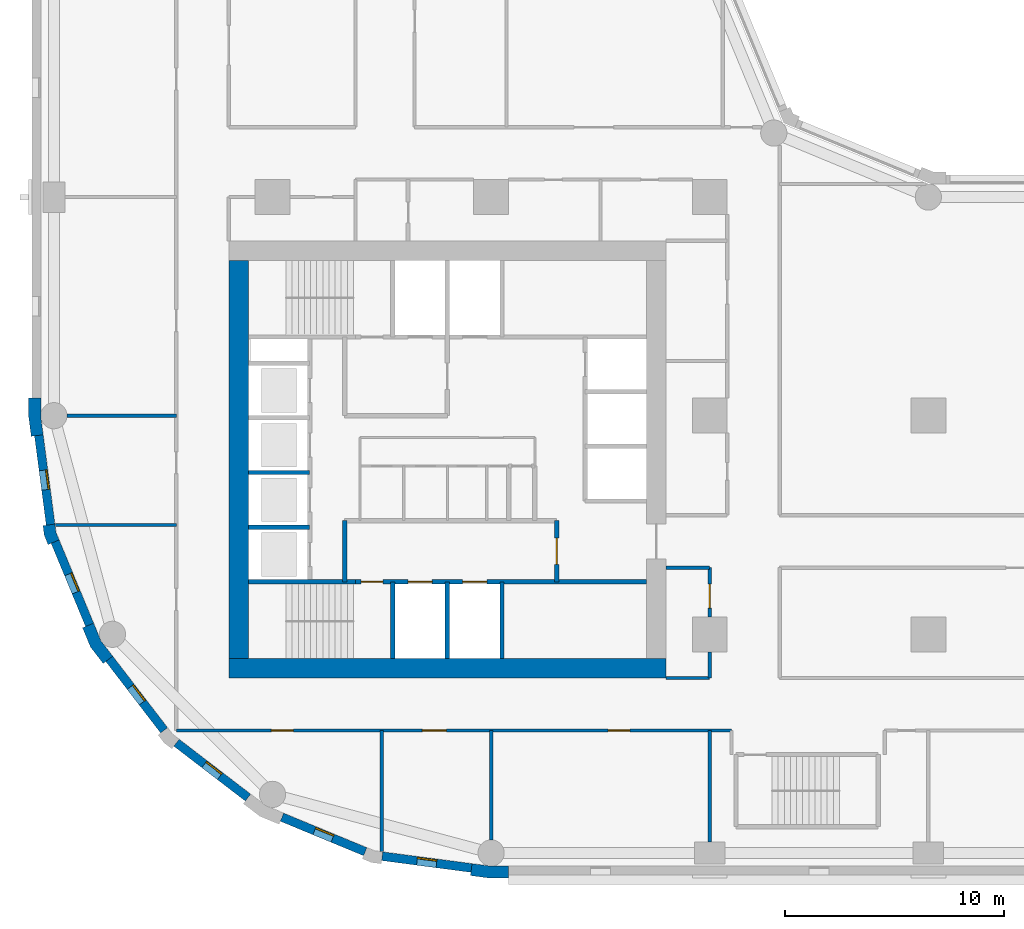
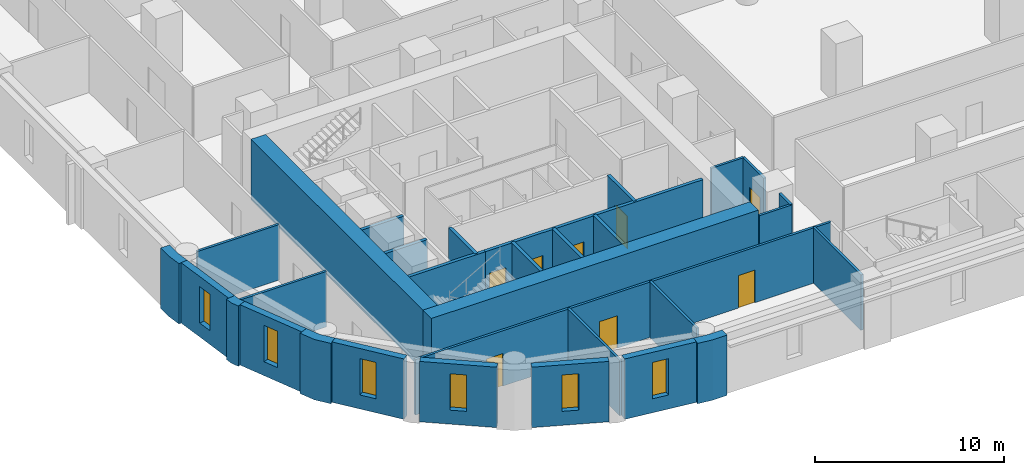
# One storey, part 2 of 10: 31 walls, 8 doors, 6 windows, 14 openings.
"""IFC4 building model written with IfcOpenShell, lengths in metres."""

from ifc_helpers import new_model, si_unit, direction, frame, frame_2d, origin, place, context, subcontext, project, spatial, polyline, rectangle, outline, extrude, material, layer, layer_set, type_object, element, fill, save


model = new_model("IFC4")

# Units and contexts
model_context = context("Model", 3, precision=1e-05, world=origin(), true_north=direction((0.0, 1.0)))
body_context = subcontext(model_context, "Body", "Model", "MODEL_VIEW")
ifc_project = project(units=[si_unit("LENGTHUNIT", "METRE"), si_unit("AREAUNIT", "SQUARE_METRE"), si_unit("VOLUMEUNIT", "CUBIC_METRE"), si_unit("PLANEANGLEUNIT", "RADIAN"), si_unit("MASSUNIT", "GRAM", prefix="KILO")], contexts=[model_context])

# Site, building, storey
site_placement = place(None, origin())
site = spatial("IfcSite", under=ifc_project, at=site_placement, CompositionType="ELEMENT")
building_placement = place(site_placement, origin())
building = spatial("IfcBuilding", under=site, at=building_placement, Name="Qaws Garden Tower", CompositionType="ELEMENT")
storey_placement = place(building_placement, frame((0.0, 0.0, 93.89990234375)))
storey = spatial("IfcBuildingStorey", under=building, at=storey_placement, Name="L23", CompositionType="ELEMENT", Elevation=93.89990234375)

# Wall, opening, window
ifc_material_1 = material(Name="Clay facing brick masonry", Category="masonry")
ifc_layer_1 = layer(ifc_material_1, 0.39990234375)
ifc_layer_set_1 = layer_set([ifc_layer_1], Name="Clay facing brick masonry")
wall_type_1 = type_object("IfcWallType", Name="Brick infill wall 400", PredefinedType="SOLIDWALL", material=ifc_layer_set_1)
wall_1_placement = place(storey_placement, frame((-0.688720703125, 19.102294921875, 0.0), z_axis=(0.0, 0.0, 1.0), x_axis=(0.130514280502, -0.991446429508, 0.0)))
wall_1 = element("IfcWall", 1, at=wall_1_placement, inside=storey, type_object=wall_type_1, Name="E-L23-infill-27", PredefinedType="SOLIDWALL", context=body_context, shape_type="SweptSolid", body=[
    extrude(rectangle(XDim=4.120849609375, YDim=0.39990234375, at=frame_2d((2.060546875, 0.0))), origin(), (0.0, 0.0, 1.0), 3.900146484375),
])
opening_1_placement = place(wall_1_placement, frame((1.610595703125, 0.0, 0.89990234375)))
opening_1 = element("IfcOpeningElement", 2, at=opening_1_placement, cuts=wall_1, Name="Opening W09", PredefinedType="OPENING", context=body_context, shape_type="SweptSolid", body=[
    extrude(rectangle(XDim=0.89990234375, YDim=2.35009765625, at=frame_2d((0.449951171875, 1.175048828125))), frame((0.0, 0.2099609375, 0.0), z_axis=(0.0, -1.0, 0.0), x_axis=(1.0, 0.0, 0.0)), (0.0, 0.0, 1.0), 0.419921875),
])
ifc_material_2 = material(Name="Aluminium framed window, clear glazing", Category="aluminium")
window_type = type_object("IfcWindowType", Name="Slit window 900 x 2350", PartitioningType="SINGLE_PANEL", PredefinedType="WINDOW", material=ifc_material_2)
window_1_placement = place(opening_1_placement, origin())
window_1 = element("IfcWindow", 3, at=window_1_placement, inside=storey, type_object=window_type, Name="E-L23-window-27-0", OverallHeight=2.35009765625, OverallWidth=0.89990234375, PartitioningType="SINGLE_PANEL", PredefinedType="WINDOW", context=body_context, shape_type="SweptSolid", body=[
    extrude(rectangle(XDim=0.89990234375, YDim=2.35009765625, at=frame_2d((0.449951171875, 1.175048828125))), frame((0.0, 0.159912109375, 0.0), z_axis=(0.0, -1.0, 0.0), x_axis=(1.0, 0.0, 0.0)), (0.0, 0.0, 1.0), 0.06005859375),
])
fill(opening_1, window_1)

wall_2_placement = place(storey_placement, frame((0.05712890625, 14.240234375, 0.0), z_axis=(0.0, 0.0, 1.0), x_axis=(0.382721546029, -0.923863744394, 0.0)))
wall_2 = element("IfcWall", 4, at=wall_2_placement, inside=storey, type_object=wall_type_1, Name="E-L23-infill-28", PredefinedType="SOLIDWALL", context=body_context, shape_type="SweptSolid", body=[
    extrude(rectangle(XDim=4.120849609375, YDim=0.39990234375, at=frame_2d((2.060546875, 0.0))), origin(), (0.0, 0.0, 1.0), 3.900146484375),
])
opening_2_placement = place(wall_2_placement, frame((1.610595703125, 0.0, 0.89990234375)))
opening_2 = element("IfcOpeningElement", 5, at=opening_2_placement, cuts=wall_2, Name="Opening W09", PredefinedType="OPENING", context=body_context, shape_type="SweptSolid", body=[
    extrude(rectangle(XDim=0.89990234375, YDim=2.35009765625, at=frame_2d((0.449951171875, 1.175048828125))), frame((0.0, 0.2099609375, 0.0), z_axis=(0.0, -1.0, 0.0), x_axis=(1.0, 0.0, 0.0)), (0.0, 0.0, 1.0), 0.419921875),
])
window_2_placement = place(opening_2_placement, origin())
window_2 = element("IfcWindow", 6, at=window_2_placement, inside=storey, type_object=window_type, Name="E-L23-window-28-0", OverallHeight=2.35009765625, OverallWidth=0.89990234375, PartitioningType="SINGLE_PANEL", PredefinedType="WINDOW", context=body_context, shape_type="SweptSolid", body=[
    extrude(rectangle(XDim=0.89990234375, YDim=2.35009765625, at=frame_2d((0.449951171875, 1.175048828125))), frame((0.0, 0.159912109375, 0.0), z_axis=(0.0, -1.0, 0.0), x_axis=(1.0, 0.0, 0.0)), (0.0, 0.0, 1.0), 0.06005859375),
])
fill(opening_2, window_2)

wall_3_placement = place(storey_placement, frame((2.53173828125, 8.87841796875, 0.0), z_axis=(0.0, 0.0, 1.0), x_axis=(0.608759824817, -0.793354571229, 0.0)))
wall_3 = element("IfcWall", 7, at=wall_3_placement, inside=storey, type_object=wall_type_1, Name="E-L23-infill-29", PredefinedType="SOLIDWALL", context=body_context, shape_type="SweptSolid", body=[
    extrude(rectangle(XDim=4.12109375, YDim=0.39990234375, at=frame_2d((2.060546875, 0.0))), origin(), (0.0, 0.0, 1.0), 3.900146484375),
])
opening_3_placement = place(wall_3_placement, frame((1.610595703125, 0.0, 0.89990234375)))
opening_3 = element("IfcOpeningElement", 8, at=opening_3_placement, cuts=wall_3, Name="Opening W09", PredefinedType="OPENING", context=body_context, shape_type="SweptSolid", body=[
    extrude(rectangle(XDim=0.89990234375, YDim=2.35009765625, at=frame_2d((0.449951171875, 1.175048828125))), frame((0.0, 0.2099609375, 0.0), z_axis=(0.0, -1.0, 0.0), x_axis=(1.0, 0.0, 0.0)), (0.0, 0.0, 1.0), 0.419921875),
])
window_3_placement = place(opening_3_placement, origin())
window_3 = element("IfcWindow", 9, at=window_3_placement, inside=storey, type_object=window_type, Name="E-L23-window-29-0", OverallHeight=2.35009765625, OverallWidth=0.89990234375, PartitioningType="SINGLE_PANEL", PredefinedType="WINDOW", context=body_context, shape_type="SweptSolid", body=[
    extrude(rectangle(XDim=0.89990234375, YDim=2.35009765625, at=frame_2d((0.449951171875, 1.175048828125))), frame((0.0, 0.159912109375, 0.0), z_axis=(0.0, -1.0, 0.0), x_axis=(1.0, 0.0, 0.0)), (0.0, 0.0, 1.0), 0.06005859375),
])
fill(opening_3, window_3)

wall_4_placement = place(storey_placement, frame((5.60888671875, 5.04052734375, 0.0), z_axis=(0.0, 0.0, 1.0), x_axis=(0.793354571229, -0.608759824817, 0.0)))
wall_4 = element("IfcWall", 10, at=wall_4_placement, inside=storey, type_object=wall_type_1, Name="E-L23-infill-30", PredefinedType="SOLIDWALL", context=body_context, shape_type="SweptSolid", body=[
    extrude(rectangle(XDim=4.12109375, YDim=0.39990234375, at=frame_2d((2.060546875, 0.0))), origin(), (0.0, 0.0, 1.0), 3.900146484375),
])
opening_4_placement = place(wall_4_placement, frame((1.610595703125, 0.0, 0.89990234375)))
opening_4 = element("IfcOpeningElement", 11, at=opening_4_placement, cuts=wall_4, Name="Opening W09", PredefinedType="OPENING", context=body_context, shape_type="SweptSolid", body=[
    extrude(rectangle(XDim=0.89990234375, YDim=2.35009765625, at=frame_2d((0.449951171875, 1.175048828125))), frame((0.0, 0.2099609375, 0.0), z_axis=(0.0, -1.0, 0.0), x_axis=(1.0, 0.0, 0.0)), (0.0, 0.0, 1.0), 0.419921875),
])
window_4_placement = place(opening_4_placement, origin())
window_4 = element("IfcWindow", 12, at=window_4_placement, inside=storey, type_object=window_type, Name="E-L23-window-30-0", OverallHeight=2.35009765625, OverallWidth=0.89990234375, PartitioningType="SINGLE_PANEL", PredefinedType="WINDOW", context=body_context, shape_type="SweptSolid", body=[
    extrude(rectangle(XDim=0.89990234375, YDim=2.35009765625, at=frame_2d((0.449951171875, 1.175048828125))), frame((0.0, 0.159912109375, 0.0), z_axis=(0.0, -1.0, 0.0), x_axis=(1.0, 0.0, 0.0)), (0.0, 0.0, 1.0), 0.06005859375),
])
fill(opening_4, window_4)

wall_5_placement = place(storey_placement, frame((10.43310546875, 1.63427734375, 0.0), z_axis=(0.0, 0.0, 1.0), x_axis=(0.923863744394, -0.382721546029, 0.0)))
wall_5 = element("IfcWall", 13, at=wall_5_placement, inside=storey, type_object=wall_type_1, Name="E-L23-infill-31", PredefinedType="SOLIDWALL", context=body_context, shape_type="SweptSolid", body=[
    extrude(rectangle(XDim=4.120849609375, YDim=0.39990234375, at=frame_2d((2.060546875, 0.0))), origin(), (0.0, 0.0, 1.0), 3.900146484375),
])
opening_5_placement = place(wall_5_placement, frame((1.610595703125, 0.0, 0.89990234375)))
opening_5 = element("IfcOpeningElement", 14, at=opening_5_placement, cuts=wall_5, Name="Opening W09", PredefinedType="OPENING", context=body_context, shape_type="SweptSolid", body=[
    extrude(rectangle(XDim=0.89990234375, YDim=2.35009765625, at=frame_2d((0.449951171875, 1.175048828125))), frame((0.0, 0.2099609375, 0.0), z_axis=(0.0, -1.0, 0.0), x_axis=(1.0, 0.0, 0.0)), (0.0, 0.0, 1.0), 0.419921875),
])
window_5_placement = place(opening_5_placement, origin())
window_5 = element("IfcWindow", 15, at=window_5_placement, inside=storey, type_object=window_type, Name="E-L23-window-31-0", OverallHeight=2.35009765625, OverallWidth=0.89990234375, PartitioningType="SINGLE_PANEL", PredefinedType="WINDOW", context=body_context, shape_type="SweptSolid", body=[
    extrude(rectangle(XDim=0.89990234375, YDim=2.35009765625, at=frame_2d((0.449951171875, 1.175048828125))), frame((0.0, 0.159912109375, 0.0), z_axis=(0.0, -1.0, 0.0), x_axis=(1.0, 0.0, 0.0)), (0.0, 0.0, 1.0), 0.06005859375),
])
fill(opening_5, window_5)

wall_6_placement = place(storey_placement, frame((15.0166015625, -0.15087890625, 0.0), z_axis=(0.0, 0.0, 1.0), x_axis=(0.991446429508, -0.130514280502, 0.0)))
wall_6 = element("IfcWall", 16, at=wall_6_placement, inside=storey, type_object=wall_type_1, Name="E-L23-infill-32", PredefinedType="SOLIDWALL", context=body_context, shape_type="SweptSolid", body=[
    extrude(rectangle(XDim=4.120849609375, YDim=0.39990234375, at=frame_2d((2.060546875, 0.0))), origin(), (0.0, 0.0, 1.0), 3.900146484375),
])
opening_6_placement = place(wall_6_placement, frame((1.610595703125, 0.0, 0.89990234375)))
opening_6 = element("IfcOpeningElement", 17, at=opening_6_placement, cuts=wall_6, Name="Opening W09", PredefinedType="OPENING", context=body_context, shape_type="SweptSolid", body=[
    extrude(rectangle(XDim=0.89990234375, YDim=2.35009765625, at=frame_2d((0.449951171875, 1.175048828125))), frame((0.0, 0.2099609375, 0.0), z_axis=(0.0, -1.0, 0.0), x_axis=(1.0, 0.0, 0.0)), (0.0, 0.0, 1.0), 0.419921875),
])
window_6_placement = place(opening_6_placement, origin())
window_6 = element("IfcWindow", 18, at=window_6_placement, inside=storey, type_object=window_type, Name="E-L23-window-32-0", OverallHeight=2.35009765625, OverallWidth=0.89990234375, PartitioningType="SINGLE_PANEL", PredefinedType="WINDOW", context=body_context, shape_type="SweptSolid", body=[
    extrude(rectangle(XDim=0.89990234375, YDim=2.35009765625, at=frame_2d((0.449951171875, 1.175048828125))), frame((0.0, 0.159912109375, 0.0), z_axis=(0.0, -1.0, 0.0), x_axis=(1.0, 0.0, 0.0)), (0.0, 0.0, 1.0), 0.06005859375),
])
fill(opening_6, window_6)

# Walls
ifc_material_3 = material(Name="Clay facing brick masonry", Category="masonry")
ifc_layer_2 = layer(ifc_material_3, 0.550048828125)
ifc_layer_set_2 = layer_set([ifc_layer_2], Name="Clay facing brick masonry")
wall_type_2 = type_object("IfcWallType", Name="Brick kink pier 550 x 600", PredefinedType="SOLIDWALL", material=ifc_layer_set_2)
placement = place(storey_placement, origin())
element("IfcWall", 19, at=placement, inside=storey, type_object=wall_type_2, Name="E-L23-pier-28", PredefinedType="SOLIDWALL", context=body_context, shape_type="SweptSolid", body=[
    extrude(outline(polyline([(-0.34912109375, 14.990478515625), (-0.497802734375, 14.970947265625), (-0.43896484375, 14.5234375), (-0.26611328125, 14.1064453125), (-0.127685546875, 14.163818359375), (0.241943359375, 14.31689453125), (0.096923828125, 14.6669921875), (0.04736328125, 15.042724609375), (-0.34912109375, 14.990478515625)])), origin(), (0.0, 0.0, 1.0), 3.900146484375),
])
ifc_material_4 = material(Name="Clay facing brick masonry", Category="masonry")
ifc_layer_3 = layer(ifc_material_4, 0.550048828125)
ifc_layer_set_3 = layer_set([ifc_layer_3], Name="Clay facing brick masonry")
wall_type_3 = type_object("IfcWallType", Name="Brick pier 550 x 1600", PredefinedType="SOLIDWALL", material=ifc_layer_set_3)
element("IfcWall", 20, at=placement, inside=storey, type_object=wall_type_3, Name="E-L23-pier-00", PredefinedType="SOLIDWALL", context=body_context, shape_type="SweptSolid", body=[
    extrude(outline(polyline([(19.076416015625, -0.886962890625), (19.056640625, -1.03564453125), (19.924560546875, -1.14990234375), (20.800048828125, -1.14990234375), (20.800048828125, -1.0), (20.800048828125, -0.60009765625), (19.960693359375, -0.60009765625), (19.12841796875, -0.490478515625), (19.076416015625, -0.886962890625)])), origin(), (0.0, 0.0, 1.0), 3.900146484375),
])
element("IfcWall", 21, at=placement, inside=storey, type_object=wall_type_3, Name="E-L23-pier-27", PredefinedType="SOLIDWALL", context=body_context, shape_type="SweptSolid", body=[
    extrude(outline(polyline([(-1.0, 20.800048828125), (-1.14990234375, 20.800048828125), (-1.14990234375, 19.924560546875), (-1.03564453125, 19.056640625), (-0.886962890625, 19.076416015625), (-0.490478515625, 19.12841796875), (-0.60009765625, 19.960693359375), (-0.60009765625, 20.800048828125), (-1.0, 20.800048828125)])), origin(), (0.0, 0.0, 1.0), 3.900146484375),
])
element("IfcWall", 22, at=placement, inside=storey, type_object=wall_type_3, Name="E-L23-pier-29", PredefinedType="SOLIDWALL", context=body_context, shape_type="SweptSolid", body=[
    extrude(outline(polyline([(1.449462890625, 10.3564453125), (1.310791015625, 10.299072265625), (1.675048828125, 9.419921875), (2.254150390625, 8.665283203125), (2.373046875, 8.756591796875), (2.6904296875, 9.0), (2.1552734375, 9.697509765625), (1.819091796875, 10.509521484375), (1.449462890625, 10.3564453125)])), origin(), (0.0, 0.0, 1.0), 3.900146484375),
])
ifc_material_5 = material(Name="Concrete C80", Category="concrete")
ifc_layer_4 = layer(ifc_material_5, 0.199951171875)
ifc_layer_set_4 = layer_set([ifc_layer_4], Name="Concrete C80")
wall_type_4 = type_object("IfcWallType", Name="Core shaft wall 200 C80", PredefinedType="SHEAR", material=ifc_layer_set_4)
wall_11_placement = place(storey_placement, frame((8.89990234375, 12.39990234375, 0.0), z_axis=(0.0, 0.0, 1.0), x_axis=(1.0, 0.0, 0.0)))
element("IfcWall", 23, at=wall_11_placement, inside=storey, type_object=wall_type_4, Name="Shaft wall", PredefinedType="SHEAR", context=body_context, shape_type="SweptSolid", body=[
    extrude(rectangle(XDim=4.900146484375, YDim=0.199951171875, at=frame_2d((2.4501953125, 0.0))), origin(), (0.0, 0.0, 1.0), 3.580078125),
])

# Wall, openings, doors
wall_12_placement = place(storey_placement, frame((13.800048828125, 12.39990234375, 0.0), z_axis=(0.0, 0.0, 1.0), x_axis=(1.0, 0.0, 0.0)))
wall_12 = element("IfcWall", 24, at=wall_12_placement, inside=storey, type_object=wall_type_4, Name="Shaft wall", PredefinedType="SHEAR", context=body_context, shape_type="SweptSolid", body=[
    extrude(rectangle(XDim=13.300048828125, YDim=0.199951171875, at=frame_2d((6.64990234375, 0.0))), origin(), (0.0, 0.0, 1.0), 3.580078125),
])
opening_7_placement = place(wall_12_placement, frame((2.39990234375, 0.0, 0.0)))
opening_7 = element("IfcOpeningElement", 25, at=opening_7_placement, cuts=wall_12, Name="Opening LD06", PredefinedType="OPENING", context=body_context, shape_type="SweptSolid", body=[
    extrude(rectangle(XDim=1.10009765625, YDim=2.10009765625, at=frame_2d((0.550048828125, 1.050048828125))), frame((0.0, 0.10986328125, 0.0), z_axis=(0.0, -1.0, 0.0), x_axis=(1.0, 0.0, 0.0)), (0.0, 0.0, 1.0), 0.219970703125),
])
opening_8_placement = place(wall_12_placement, frame((4.89990234375, 0.0, 0.0)))
opening_8 = element("IfcOpeningElement", 26, at=opening_8_placement, cuts=wall_12, Name="Opening LD07", PredefinedType="OPENING", context=body_context, shape_type="SweptSolid", body=[
    extrude(rectangle(XDim=1.10009765625, YDim=2.10009765625, at=frame_2d((0.550048828125, 1.050048828125))), frame((0.0, 0.10986328125, 0.0), z_axis=(0.0, -1.0, 0.0), x_axis=(1.0, 0.0, 0.0)), (0.0, 0.0, 1.0), 0.219970703125),
])
opening_9_placement = place(wall_12_placement, frame((0.25, 0.0, 0.0)))
opening_9 = element("IfcOpeningElement", 27, at=opening_9_placement, cuts=wall_12, Name="Opening SD10", PredefinedType="OPENING", context=body_context, shape_type="SweptSolid", body=[
    extrude(rectangle(XDim=1.0, YDim=2.10009765625, at=frame_2d((0.5, 1.050048828125))), frame((0.0, 0.10986328125, 0.0), z_axis=(0.0, -1.0, 0.0), x_axis=(1.0, 0.0, 0.0)), (0.0, 0.0, 1.0), 0.219970703125),
])
ifc_material_6 = material(Name="Steel S235", Category="steel")
door_type_1 = type_object("IfcDoorType", Name="Landing door 1100x2100", OperationType="DOUBLE_DOOR_SLIDING", PredefinedType="DOOR", material=ifc_material_6)
door_1_placement = place(opening_7_placement, origin())
door_1 = element("IfcDoor", 28, at=door_1_placement, inside=storey, type_object=door_type_1, Name="Lift FF1 landing door", OperationType="DOUBLE_DOOR_SLIDING", OverallHeight=2.10009765625, OverallWidth=1.10009765625, PredefinedType="DOOR", context=body_context, shape_type="SweptSolid", body=[
    extrude(rectangle(XDim=1.10009765625, YDim=2.10009765625, at=frame_2d((0.550048828125, 1.050048828125))), frame((0.0, 0.02490234375, 0.0), z_axis=(0.0, -1.0, 0.0), x_axis=(1.0, 0.0, 0.0)), (0.0, 0.0, 1.0), 0.050048828125),
])
fill(opening_7, door_1)
door_2_placement = place(opening_8_placement, origin())
door_2 = element("IfcDoor", 29, at=door_2_placement, inside=storey, type_object=door_type_1, Name="Lift FF2 landing door", OperationType="DOUBLE_DOOR_SLIDING", OverallHeight=2.10009765625, OverallWidth=1.10009765625, PredefinedType="DOOR", context=body_context, shape_type="SweptSolid", body=[
    extrude(rectangle(XDim=1.10009765625, YDim=2.10009765625, at=frame_2d((0.550048828125, 1.050048828125))), frame((0.0, 0.02490234375, 0.0), z_axis=(0.0, -1.0, 0.0), x_axis=(1.0, 0.0, 0.0)), (0.0, 0.0, 1.0), 0.050048828125),
])
fill(opening_8, door_2)
ifc_material_7 = material(Name="Steel S235", Category="steel")
door_type_2 = type_object("IfcDoorType", Name="Stair door 1000x2100", OperationType="SINGLE_SWING_RIGHT", PredefinedType="DOOR", material=ifc_material_7)
door_3_placement = place(opening_9_placement, frame((1.0, 0.0, 0.0), z_axis=(0.0, 0.0, 1.0), x_axis=(-1.0, 0.0, 0.0)))
door_3 = element("IfcDoor", 30, at=door_3_placement, inside=storey, type_object=door_type_2, Name="Stair 1 door", OperationType="SINGLE_SWING_LEFT", OverallHeight=2.10009765625, OverallWidth=1.0, PredefinedType="DOOR", context=body_context, shape_type="SweptSolid", body=[
    extrude(rectangle(XDim=1.0, YDim=2.10009765625, at=frame_2d((0.5, 1.050048828125))), frame((0.0, 0.02490234375, 0.0), z_axis=(0.0, -1.0, 0.0), x_axis=(1.0, 0.0, 0.0)), (0.0, 0.0, 1.0), 0.050048828125),
])
fill(opening_9, door_3)

# Walls
for number, where, z_axis, x_axis, name in (
    (31, (8.89990234375, 14.89990234375, 0.0), (0.0, 0.0, 1.0), (1.0, 0.0, 0.0), "Shaft wall"),
    (32, (8.89990234375, 17.39990234375, 0.0), (0.0, 0.0, 1.0), (1.0, 0.0, 0.0), "Shaft wall"),
    (33, (13.300048828125, 12.39990234375, 0.0), (0.0, 0.0, 1.0), (0.0, 1.0, 0.0), "Shaft wall"),
):
    element("IfcWall", number, at=place(storey_placement, frame(where, z_axis=z_axis, x_axis=x_axis)), inside=storey, type_object=wall_type_4, Name=name, PredefinedType="SHEAR", context=body_context, shape_type="SweptSolid", body=[
        extrude(rectangle(XDim=2.800048828125, YDim=0.199951171875, at=frame_2d((1.39990234375, 0.0))), origin(), (0.0, 0.0, 1.0), 3.580078125),
    ])
for number, where, z_axis, x_axis, name in (
    (34, (15.5, 8.89990234375, 0.0), (0.0, 0.0, 1.0), (0.0, 1.0, 0.0), "Shaft wall"),
    (35, (18.0, 8.89990234375, 0.0), (0.0, 0.0, 1.0), (0.0, 1.0, 0.0), "Shaft wall"),
    (36, (20.5, 8.89990234375, 0.0), (0.0, 0.0, 1.0), (0.0, 1.0, 0.0), "Shaft wall"),
):
    element("IfcWall", number, at=place(storey_placement, frame(where, z_axis=z_axis, x_axis=x_axis)), inside=storey, type_object=wall_type_4, Name=name, PredefinedType="SHEAR", context=body_context, shape_type="SweptSolid", body=[
        extrude(rectangle(XDim=3.5, YDim=0.199951171875, at=frame_2d((1.75, 0.0))), origin(), (0.0, 0.0, 1.0), 3.580078125),
    ])

# Wall, opening, door
wall_13_placement = place(storey_placement, frame((23.0, 12.39990234375, 0.0), z_axis=(0.0, 0.0, 1.0), x_axis=(0.0, 1.0, 0.0)))
wall_13 = element("IfcWall", 37, at=wall_13_placement, inside=storey, type_object=wall_type_4, Name="Shaft wall", PredefinedType="SHEAR", context=body_context, shape_type="SweptSolid", body=[
    extrude(rectangle(XDim=2.800048828125, YDim=0.199951171875, at=frame_2d((1.39990234375, 0.0))), origin(), (0.0, 0.0, 1.0), 3.580078125),
])
opening_10_placement = place(wall_13_placement, frame((0.800048828125, 0.0, 0.0)))
opening_10 = element("IfcOpeningElement", 38, at=opening_10_placement, cuts=wall_13, Name="Opening FD15", PredefinedType="OPENING", context=body_context, shape_type="SweptSolid", body=[
    extrude(rectangle(XDim=1.199951171875, YDim=2.10009765625, at=frame_2d((0.60009765625, 1.050048828125))), frame((0.0, 0.10986328125, 0.0), z_axis=(0.0, -1.0, 0.0), x_axis=(1.0, 0.0, 0.0)), (0.0, 0.0, 1.0), 0.219970703125),
])
ifc_material_8 = material(Name="Steel S235", Category="steel")
door_type_3 = type_object("IfcDoorType", Name="Lobby door 1200x2100", OperationType="DOUBLE_DOOR_SINGLE_SWING", PredefinedType="DOOR", material=ifc_material_8)
door_4_placement = place(opening_10_placement, origin())
door_4 = element("IfcDoor", 39, at=door_4_placement, inside=storey, type_object=door_type_3, Name="Fire-fighting lobby door", OperationType="DOUBLE_DOOR_SINGLE_SWING", OverallHeight=2.10009765625, OverallWidth=1.199951171875, PredefinedType="DOOR", context=body_context, shape_type="SweptSolid", body=[
    extrude(rectangle(XDim=1.199951171875, YDim=2.10009765625, at=frame_2d((0.60009765625, 1.050048828125))), frame((0.0, 0.02490234375, 0.0), z_axis=(0.0, -1.0, 0.0), x_axis=(1.0, 0.0, 0.0)), (0.0, 0.0, 1.0), 0.050048828125),
])
fill(opening_10, door_4)

# Walls
ifc_material_9 = material(Name="Concrete C80", Category="concrete")
ifc_layer_5 = layer(ifc_material_9, 0.89990234375)
ifc_layer_set_5 = layer_set([ifc_layer_5], Name="Concrete C80")
wall_type_5 = type_object("IfcWallType", Name="Core wall 900 C80", PredefinedType="SHEAR", material=ifc_layer_set_5)
wall_14_placement = place(storey_placement, frame((8.0, 8.449951171875, 0.0), z_axis=(0.0, 0.0, 1.0), x_axis=(1.0, 0.0, 0.0)))
element("IfcWall", 40, at=wall_14_placement, inside=storey, type_object=wall_type_5, Name="Core wall L23 south", PredefinedType="SHEAR", context=body_context, shape_type="SweptSolid", body=[
    extrude(rectangle(XDim=20.0, YDim=0.89990234375, at=frame_2d((10.0, 0.0))), origin(), (0.0, 0.0, 1.0), 3.900146484375),
])
wall_15_placement = place(storey_placement, frame((8.449951171875, 27.10009765625, 0.0), z_axis=(0.0, 0.0, 1.0), x_axis=(0.0, -1.0, 0.0)))
element("IfcWall", 41, at=wall_15_placement, inside=storey, type_object=wall_type_5, Name="Core wall L23 west", PredefinedType="SHEAR", context=body_context, shape_type="SweptSolid", body=[
    extrude(rectangle(XDim=18.2001953125, YDim=0.89990234375, at=frame_2d((9.10009765625, 0.0))), origin(), (0.0, 0.0, 1.0), 3.900146484375),
])
ifc_material_10 = material(Name="Gypsum board partition")
ifc_layer_6 = layer(ifc_material_10, 0.14990234375)
ifc_layer_set_6 = layer_set([ifc_layer_6], Name="Gypsum board partition")
wall_type_6 = type_object("IfcWallType", Name="PARTITION 150 EI 60", PredefinedType="PARTITIONING", material=ifc_layer_set_6)
wall_16_placement = place(storey_placement, frame((15.0, 0.06298828125, 0.0), z_axis=(0.0, 0.0, 1.0), x_axis=(0.0, 1.0, 0.0)))
element("IfcWall", 42, at=wall_16_placement, inside=storey, type_object=wall_type_6, Name="O-L23-wall-007", PredefinedType="PARTITIONING", context=body_context, shape_type="SweptSolid", body=[
    extrude(rectangle(XDim=5.537109375, YDim=0.14990234375, at=frame_2d((2.7685546875, 0.0))), origin(), (0.0, 0.0, 1.0), 3.580078125),
])
wall_17_placement = place(storey_placement, frame((20.0, 0.60009765625, 0.0), z_axis=(0.0, 0.0, 1.0), x_axis=(0.0, 1.0, 0.0)))
element("IfcWall", 43, at=wall_17_placement, inside=storey, type_object=wall_type_6, Name="O-L23-wall-010", PredefinedType="PARTITIONING", context=body_context, shape_type="SweptSolid", body=[
    extrude(rectangle(XDim=5.0, YDim=0.14990234375, at=frame_2d((2.5, 0.0))), origin(), (0.0, 0.0, 1.0), 3.580078125),
])
wall_18_placement = place(storey_placement, frame((30.0, 0.5, 0.0), z_axis=(0.0, 0.0, 1.0), x_axis=(0.0, 1.0, 0.0)))
element("IfcWall", 44, at=wall_18_placement, inside=storey, type_object=wall_type_6, Name="O-L23-wall-016", PredefinedType="PARTITIONING", context=body_context, shape_type="SweptSolid", body=[
    extrude(rectangle(XDim=5.10009765625, YDim=0.14990234375, at=frame_2d((2.550048828125, 0.0))), origin(), (0.0, 0.0, 1.0), 3.580078125),
])
wall_19_placement = place(storey_placement, frame((30.0, 8.0, 0.0), z_axis=(0.0, 0.0, 1.0), x_axis=(0.0, 1.0, 0.0)))
element("IfcWall", 45, at=wall_19_placement, inside=storey, type_object=wall_type_6, Name="O-L23-wall-017", PredefinedType="PARTITIONING", context=body_context, shape_type="SweptSolid", body=[
    extrude(rectangle(XDim=1.199951171875, YDim=0.14990234375, at=frame_2d((0.60009765625, 0.0))), origin(), (0.0, 0.0, 1.0), 3.580078125),
])

# Wall, opening, door
wall_20_placement = place(storey_placement, frame((30.0, 10.800048828125, 0.0), z_axis=(0.0, 0.0, 1.0), x_axis=(0.0, 1.0, 0.0)))
wall_20 = element("IfcWall", 46, at=wall_20_placement, inside=storey, type_object=wall_type_6, Name="O-L23-wall-018", PredefinedType="PARTITIONING", context=body_context, shape_type="SweptSolid", body=[
    extrude(rectangle(XDim=2.25, YDim=0.14990234375, at=frame_2d((1.125, 0.0))), origin(), (0.0, 0.0, 1.0), 3.580078125),
])
opening_11_placement = place(wall_20_placement, frame((0.39990234375, 0.0, 0.0)))
opening_11 = element("IfcOpeningElement", 47, at=opening_11_placement, cuts=wall_20, Name="Opening A807", PredefinedType="OPENING", context=body_context, shape_type="SweptSolid", body=[
    extrude(rectangle(XDim=1.10009765625, YDim=2.10009765625, at=frame_2d((0.550048828125, 1.050048828125))), frame((0.0, 0.0849609375, 0.0), z_axis=(0.0, -1.0, 0.0), x_axis=(1.0, 0.0, 0.0)), (0.0, 0.0, 1.0), 0.169921875),
])
ifc_material_11 = material(Name="Timber door leaf", Category="wood")
door_type_4 = type_object("IfcDoorType", Name="SERVICE ROOM DOOR 1100 X 2100", OperationType="SINGLE_SWING_LEFT", PredefinedType="DOOR", material=ifc_material_11)
door_5_placement = place(opening_11_placement, origin())
door_5 = element("IfcDoor", 48, at=door_5_placement, inside=storey, type_object=door_type_4, Name="O-L23-door-007", OperationType="SINGLE_SWING_LEFT", OverallHeight=2.10009765625, OverallWidth=1.10009765625, PredefinedType="DOOR", context=body_context, shape_type="SweptSolid", body=[
    extrude(rectangle(XDim=1.10009765625, YDim=2.10009765625, at=frame_2d((0.550048828125, 1.050048828125))), frame((0.0, 0.02490234375, 0.0), z_axis=(0.0, -1.0, 0.0), x_axis=(1.0, 0.0, 0.0)), (0.0, 0.0, 1.0), 0.050048828125),
])
fill(opening_11, door_5)

# Wall, openings, doors
wall_21_placement = place(storey_placement, frame((5.60009765625, 5.60009765625, 0.0), z_axis=(0.0, 0.0, 1.0), x_axis=(1.0, 0.0, 0.0)))
wall_21 = element("IfcWall", 49, at=wall_21_placement, inside=storey, type_object=wall_type_6, Name="O-L23-wall-031", PredefinedType="PARTITIONING", context=body_context, shape_type="SweptSolid", body=[
    extrude(rectangle(XDim=25.39990234375, YDim=0.14990234375, at=frame_2d((12.699951171875, 0.0))), origin(), (0.0, 0.0, 1.0), 3.580078125),
])
opening_12_placement = place(wall_21_placement, frame((4.35009765625, 0.0, 0.0)))
opening_12 = element("IfcOpeningElement", 50, at=opening_12_placement, cuts=wall_21, Name="Opening A826", PredefinedType="OPENING", context=body_context, shape_type="SweptSolid", body=[
    extrude(rectangle(XDim=1.0, YDim=2.10009765625, at=frame_2d((0.5, 1.050048828125))), frame((0.0, 0.0849609375, 0.0), z_axis=(0.0, -1.0, 0.0), x_axis=(1.0, 0.0, 0.0)), (0.0, 0.0, 1.0), 0.169921875),
])
opening_13_placement = place(wall_21_placement, frame((11.25, 0.0, 0.0)))
opening_13 = element("IfcOpeningElement", 51, at=opening_13_placement, cuts=wall_21, Name="Opening A827", PredefinedType="OPENING", context=body_context, shape_type="SweptSolid", body=[
    extrude(rectangle(XDim=1.10009765625, YDim=2.10009765625, at=frame_2d((0.550048828125, 1.050048828125))), frame((0.0, 0.0849609375, 0.0), z_axis=(0.0, -1.0, 0.0), x_axis=(1.0, 0.0, 0.0)), (0.0, 0.0, 1.0), 0.169921875),
])
opening_14_placement = place(wall_21_placement, frame((19.75, 0.0, 0.0)))
opening_14 = element("IfcOpeningElement", 52, at=opening_14_placement, cuts=wall_21, Name="Opening A828", PredefinedType="OPENING", context=body_context, shape_type="SweptSolid", body=[
    extrude(rectangle(XDim=1.0, YDim=2.10009765625, at=frame_2d((0.5, 1.050048828125))), frame((0.0, 0.0849609375, 0.0), z_axis=(0.0, -1.0, 0.0), x_axis=(1.0, 0.0, 0.0)), (0.0, 0.0, 1.0), 0.169921875),
])
door_6_placement = place(opening_13_placement, frame((1.10009765625, 0.0, 0.0), z_axis=(0.0, 0.0, 1.0), x_axis=(-1.0, 0.0, 0.0)))
door_6 = element("IfcDoor", 53, at=door_6_placement, inside=storey, type_object=door_type_4, Name="O-L23-door-027", OperationType="SINGLE_SWING_LEFT", OverallHeight=2.10009765625, OverallWidth=1.10009765625, PredefinedType="DOOR", context=body_context, shape_type="SweptSolid", body=[
    extrude(rectangle(XDim=1.10009765625, YDim=2.10009765625, at=frame_2d((0.550048828125, 1.050048828125))), frame((0.0, 0.02490234375, 0.0), z_axis=(0.0, -1.0, 0.0), x_axis=(1.0, 0.0, 0.0)), (0.0, 0.0, 1.0), 0.050048828125),
])
fill(opening_13, door_6)
ifc_material_12 = material(Name="Timber door leaf", Category="wood")
door_type_5 = type_object("IfcDoorType", Name="TENANCY ENTRANCE DOOR 1000 X 2100", OperationType="SINGLE_SWING_LEFT", PredefinedType="DOOR", material=ifc_material_12)
door_7_placement = place(opening_12_placement, frame((1.0, 0.0, 0.0), z_axis=(0.0, 0.0, 1.0), x_axis=(-1.0, 0.0, 0.0)))
door_7 = element("IfcDoor", 54, at=door_7_placement, inside=storey, type_object=door_type_5, Name="O-L23-door-026", OperationType="SINGLE_SWING_LEFT", OverallHeight=2.10009765625, OverallWidth=1.0, PredefinedType="DOOR", context=body_context, shape_type="SweptSolid", body=[
    extrude(rectangle(XDim=1.0, YDim=2.10009765625, at=frame_2d((0.5, 1.050048828125))), frame((0.0, 0.02490234375, 0.0), z_axis=(0.0, -1.0, 0.0), x_axis=(1.0, 0.0, 0.0)), (0.0, 0.0, 1.0), 0.050048828125),
])
fill(opening_12, door_7)
door_8_placement = place(opening_14_placement, frame((1.0, 0.0, 0.0), z_axis=(0.0, 0.0, 1.0), x_axis=(-1.0, 0.0, 0.0)))
door_8 = element("IfcDoor", 55, at=door_8_placement, inside=storey, type_object=door_type_5, Name="O-L23-door-028", OperationType="SINGLE_SWING_LEFT", OverallHeight=2.10009765625, OverallWidth=1.0, PredefinedType="DOOR", context=body_context, shape_type="SweptSolid", body=[
    extrude(rectangle(XDim=1.0, YDim=2.10009765625, at=frame_2d((0.5, 1.050048828125))), frame((0.0, 0.02490234375, 0.0), z_axis=(0.0, -1.0, 0.0), x_axis=(1.0, 0.0, 0.0)), (0.0, 0.0, 1.0), 0.050048828125),
])
fill(opening_14, door_8)

# Walls
for number, where, z_axis, x_axis, name in (
    (56, (28.0, 8.0, 0.0), (0.0, 0.0, 1.0), (1.0, 0.0, 0.0), "O-L23-wall-033"),
    (57, (28.0, 13.050048828125, 0.0), (0.0, 0.0, 1.0), (1.0, 0.0, 0.0), "O-L23-wall-035"),
):
    element("IfcWall", number, at=place(storey_placement, frame(where, z_axis=z_axis, x_axis=x_axis)), inside=storey, type_object=wall_type_6, Name=name, PredefinedType="PARTITIONING", context=body_context, shape_type="SweptSolid", body=[
        extrude(rectangle(XDim=2.0, YDim=0.14990234375, at=frame_2d((1.0, 0.0))), origin(), (0.0, 0.0, 1.0), 3.580078125),
    ])
wall_22_placement = place(storey_placement, frame((0.06298828125, 15.0, 0.0), z_axis=(0.0, 0.0, 1.0), x_axis=(1.0, 0.0, 0.0)))
element("IfcWall", 58, at=wall_22_placement, inside=storey, type_object=wall_type_6, Name="O-L23-wall-037", PredefinedType="PARTITIONING", context=body_context, shape_type="SweptSolid", body=[
    extrude(rectangle(XDim=5.537109375, YDim=0.14990234375, at=frame_2d((2.7685546875, 0.0))), origin(), (0.0, 0.0, 1.0), 3.580078125),
])
wall_23_placement = place(storey_placement, frame((0.60009765625, 20.0, 0.0), z_axis=(0.0, 0.0, 1.0), x_axis=(1.0, 0.0, 0.0)))
element("IfcWall", 59, at=wall_23_placement, inside=storey, type_object=wall_type_6, Name="O-L23-wall-040", PredefinedType="PARTITIONING", context=body_context, shape_type="SweptSolid", body=[
    extrude(rectangle(XDim=5.0, YDim=0.14990234375, at=frame_2d((2.5, 0.0))), origin(), (0.0, 0.0, 1.0), 3.580078125),
])

save(model, "model.ifc")
